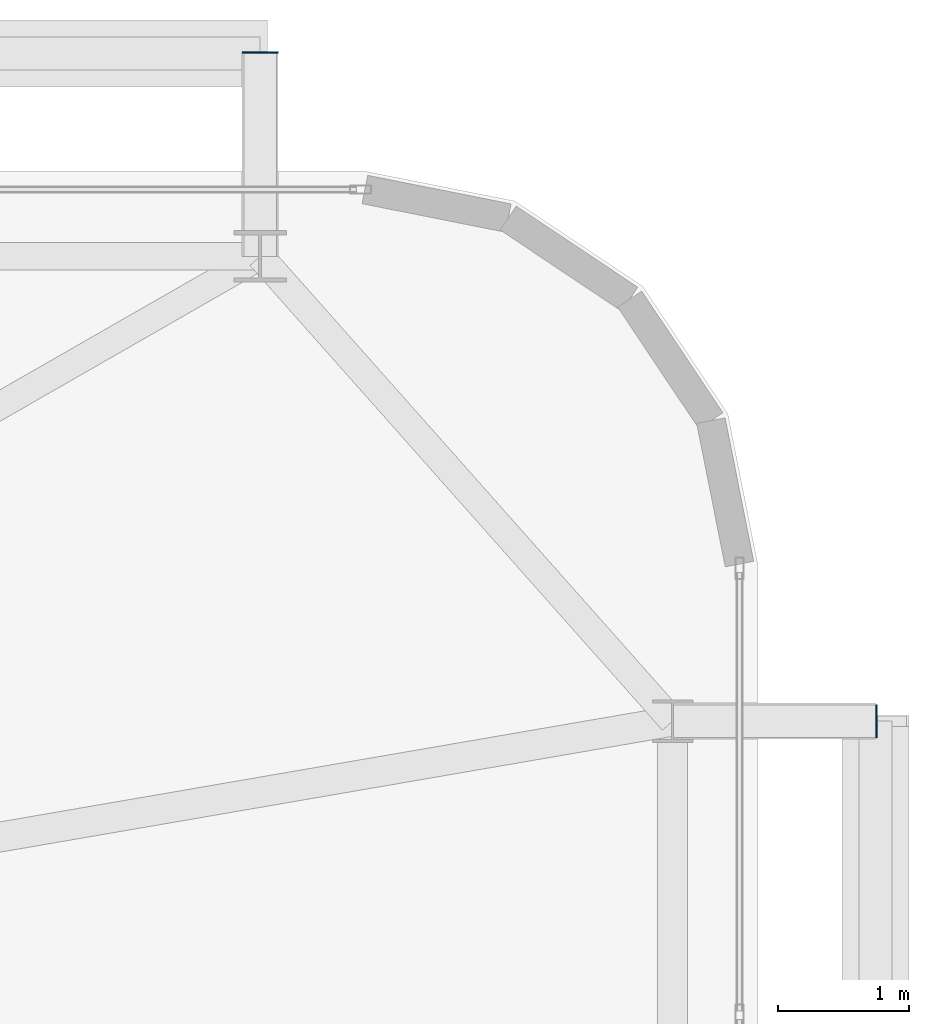
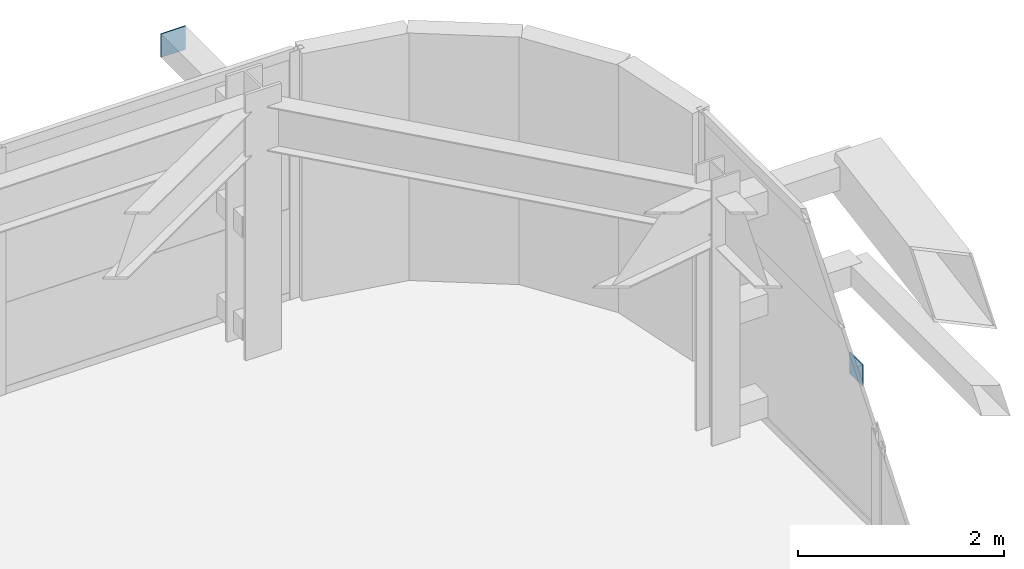
# One storey, part 51 of 58: 2 plates.
"""IFC4 building model written with IfcOpenShell, lengths in metres."""

from ifc_helpers import new_model, si_unit, direction, frame, origin, origin_2d, place, context, subcontext, project, spatial, rectangle, extrude, source, transform, mapped, material, layer, layer_set, type_object, element, save


model = new_model("IFC4")

# Units and contexts
model_context = context("Model", 3, precision=1e-05, world=origin(), true_north=direction((0.0, 1.0)))
body_context = subcontext(model_context, "Body", "Model", "MODEL_VIEW")
ifc_project = project(units=[si_unit("LENGTHUNIT", "METRE"), si_unit("AREAUNIT", "SQUARE_METRE"), si_unit("VOLUMEUNIT", "CUBIC_METRE"), si_unit("PLANEANGLEUNIT", "RADIAN"), si_unit("MASSUNIT", "GRAM", prefix="KILO")], contexts=[model_context])

# Site, building, storey
site_placement = place(None, origin())
site = spatial("IfcSite", under=ifc_project, at=site_placement, CompositionType="ELEMENT")
building_placement = place(site_placement, origin())
building = spatial("IfcBuilding", under=site, at=building_placement, Name="Taldren Reach Tower", CompositionType="ELEMENT")
storey_placement = place(building_placement, frame((0.0, 0.0, 32.550048828125)))
storey = spatial("IfcBuildingStorey", under=building, at=storey_placement, Name="L09", CompositionType="ELEMENT", Elevation=32.550048828125)

# Plates
ifc_material_1 = material(Name="Steel Gr 450 (C450L0)", Category="steel")
ifc_layer_1 = layer(ifc_material_1, 0.011962890625)
ifc_layer_set_1 = layer_set([ifc_layer_1], Name="Steel Gr 450 (C450L0)")
plate_type_1 = type_object("IfcPlateType", Name="PL-CAP-275", PredefinedType="SHEET", material=ifc_layer_set_1)
shared_shape_1 = source(origin(), body_context, "Body", "SweptSolid", [
    extrude(rectangle(XDim=0.27490234375, YDim=0.011962890625, at=origin_2d()), origin(), (0.0, 0.0, 1.0), 0.27490234375),
])
plate_1_placement = place(storey_placement, frame((61.199951171875, 39.406005859375, 2.512451171875), z_axis=(0.0, 0.0, 1.0), x_axis=(1.0, 0.0, 0.0)))
element("IfcPlate", 1, at=plate_1_placement, inside=storey, type_object=plate_type_1, Name="Tie strut end cap plate B1-N6 L09", PredefinedType="SHEET", context=body_context, shape_type="MappedRepresentation", body=[
    mapped(shared_shape_1, transform((0.0, 0.0, 0.0), scale=1.0)),
])
ifc_material_2 = material(Name="Steel Gr 350 (C350L0)", Category="steel")
ifc_layer_2 = layer(ifc_material_2, 0.011962890625)
ifc_layer_set_2 = layer_set([ifc_layer_2], Name="Steel Gr 350 (C350L0)")
plate_type_2 = type_object("IfcPlateType", Name="PL-CAP-250", PredefinedType="SHEET", material=ifc_layer_set_2)
shared_shape_2 = source(origin(), body_context, "Body", "SweptSolid", [
    extrude(rectangle(XDim=0.011962890625, YDim=0.25, at=origin_2d()), origin(), (0.0, 0.0, 1.0), 0.25),
])
plate_2_placement = place(storey_placement, frame((65.906005859375, 34.300048828125, 0.094970703125), z_axis=(0.0, 0.0, 1.0), x_axis=(1.0, 0.0, 0.0)))
element("IfcPlate", 2, at=plate_2_placement, inside=storey, type_object=plate_type_2, Name="Tie strut end cap plate B1-E3 L09", PredefinedType="SHEET", context=body_context, shape_type="MappedRepresentation", body=[
    mapped(shared_shape_2, transform((0.0, 0.0, 0.0), scale=1.0)),
])

save(model, "model.ifc")
